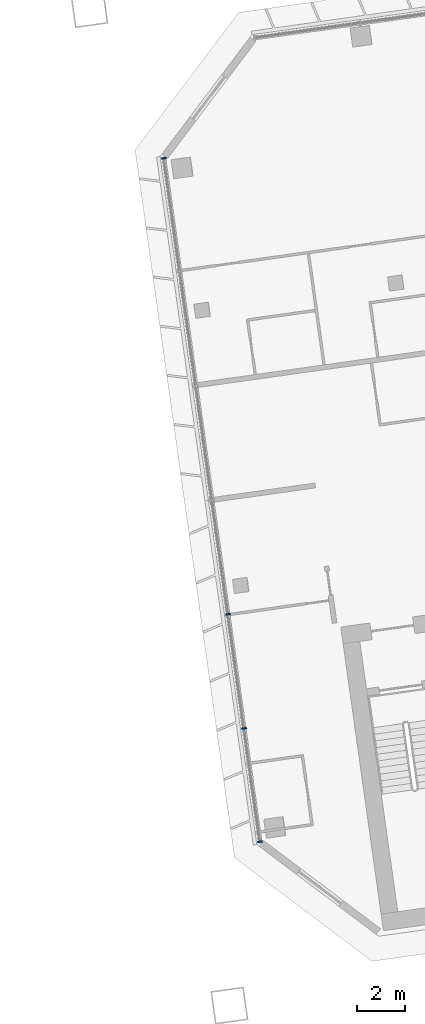
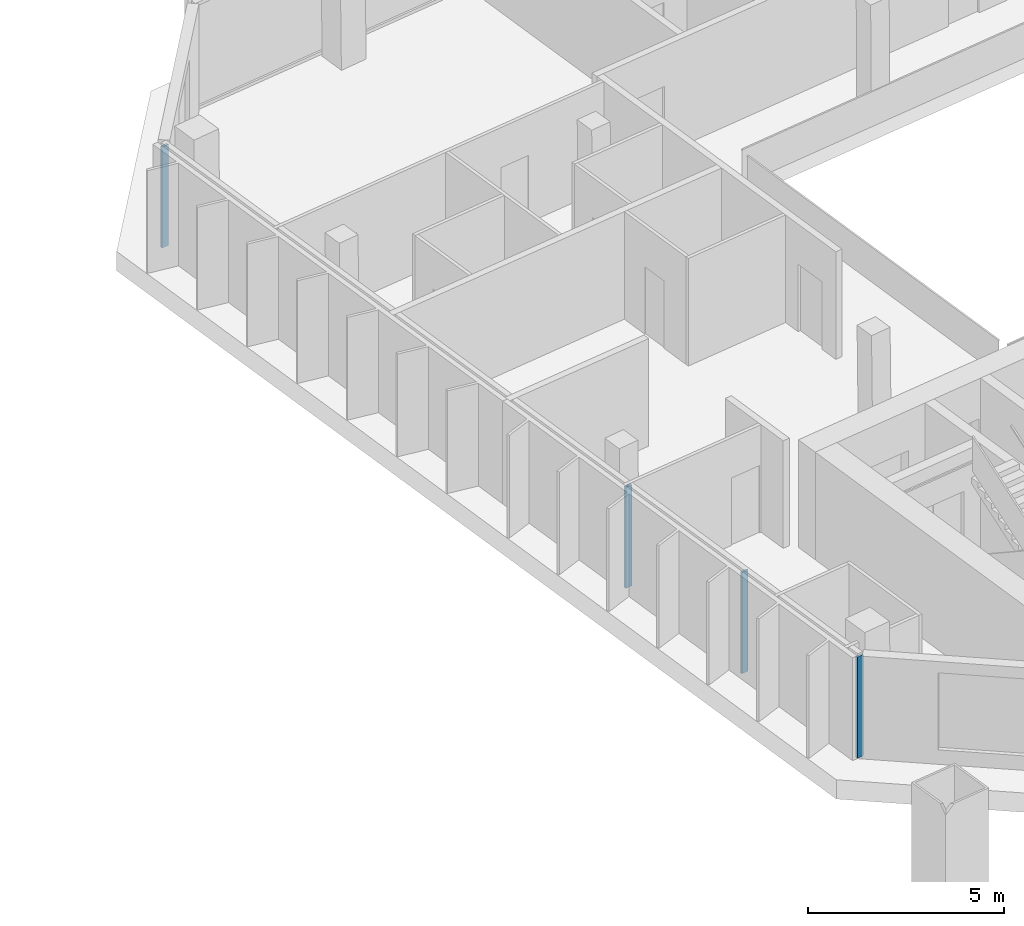
# One storey, part 10 of 31: 4 members, 1 element without a shape of its own.
"""IFC4 building model written with IfcOpenShell, lengths in metres."""

import ifcopenshell
import ifcopenshell.guid

model = None  # the IFC model being written
_history = None  # IfcOwnerHistory: only IFC2X3 demands one
_inside = {}  # id of a spatial element -> (the spatial element, [elements in it])
_under = {}  # id of a project, library or spatial element -> (it, [spatial elements below it])
_declared = {}  # id of a project -> (the project, [libraries it declares])
_typed = {}  # id of a type object -> (the type object, [elements of that type])
_made_of = {}  # id of a material, layer set ... -> (it, [elements and type objects made of it])


def new_model(schema):
    """Start an empty IFC model of exactly this schema.

    Asked for "IFC4X3", IfcOpenShell would pick the latest addendum, in which some entities
    have other attributes; the version numbers below select the first issue.
    IFC2X3 requires an IfcOwnerHistory on every rooted entity: one is made here for all.
    """
    global model, _history
    if schema == "IFC4X3":
        model = ifcopenshell.file(schema_version=(4, 3, 0, 0))
    else:
        model = ifcopenshell.file(schema=schema)
    _inside.clear()
    _under.clear()
    _declared.clear()
    _typed.clear()
    _made_of.clear()
    _history = None
    if model.schema == "IFC2X3":
        org = make("IfcOrganization", Name="unknown")
        user = make(
            "IfcPersonAndOrganization",
            ThePerson=make("IfcPerson", FamilyName="unknown"),
            TheOrganization=org,
        )
        app = make(
            "IfcApplication",
            ApplicationDeveloper=org,
            Version="unknown",
            ApplicationFullName="unknown",
            ApplicationIdentifier="unknown",
        )
        _history = make(
            "IfcOwnerHistory",
            OwningUser=user,
            OwningApplication=app,
            ChangeAction="ADDED",
            CreationDate=0,
        )
    return model


def make(cls, **values):
    """One entity of the class cls with the attributes given. An attribute that is None is left unset."""
    return model.create_entity(
        cls, **{name: value for name, value in values.items() if value is not None}
    )


def rooted(cls, **values):
    """An entity with a GlobalId (a new one), such as an element, a storey or a relation."""
    return make(cls, GlobalId=ifcopenshell.guid.new(), OwnerHistory=_history, **values)


def si_unit(unit_type, name, prefix=None):
    """IfcSIUnit, for example si_unit("LENGTHUNIT", "METRE", prefix="MILLI")."""
    return make("IfcSIUnit", UnitType=unit_type, Prefix=prefix, Name=name)


def assignment(units):
    """IfcUnitAssignment: the units of a project."""
    return None if units is None else make("IfcUnitAssignment", Units=units)


def point(xyz):
    """IfcCartesianPoint."""
    return None if xyz is None else make("IfcCartesianPoint", Coordinates=xyz)


def direction(xyz):
    """IfcDirection."""
    return None if xyz is None else make("IfcDirection", DirectionRatios=xyz)


def frame(location, z_axis=None, x_axis=None):
    """IfcAxis2Placement3D, a coordinate frame: its origin and axes. An axis left out is left unset."""
    return make(
        "IfcAxis2Placement3D",
        Location=point(location),
        Axis=direction(z_axis),
        RefDirection=direction(x_axis),
    )


def frame_2d(location, x_axis=None):
    """IfcAxis2Placement2D, a coordinate frame in the plane: its origin and x axis."""
    return make(
        "IfcAxis2Placement2D", Location=point(location), RefDirection=direction(x_axis)
    )


def origin():
    """The frame at (0, 0, 0) with its axes left unset."""
    return frame((0.0, 0.0, 0.0))


def origin_2d():
    """The frame at (0, 0) in the plane with its x axis left unset."""
    return frame_2d((0.0, 0.0))


def place(relative_to, where):
    """IfcLocalPlacement: puts the frame where relative to a parent placement (None: the world)."""
    return make(
        "IfcLocalPlacement", PlacementRelTo=relative_to, RelativePlacement=where
    )


def context(
    kind, dimensions, precision=None, world=None, true_north=None, identifier=None
):
    """IfcGeometricRepresentationContext, for example the 3D "Model" context."""
    return make(
        "IfcGeometricRepresentationContext",
        ContextIdentifier=identifier,
        ContextType=kind,
        CoordinateSpaceDimension=dimensions,
        Precision=precision,
        WorldCoordinateSystem=world,
        TrueNorth=true_north,
    )


def subcontext(parent, identifier, kind, view, scale=None):
    """IfcGeometricRepresentationSubContext, for example "Body" below "Model"."""
    return make(
        "IfcGeometricRepresentationSubContext",
        ContextIdentifier=identifier,
        ContextType=kind,
        ParentContext=parent,
        TargetScale=scale,
        TargetView=view,
    )


def project(units=None, contexts=None):
    """IfcProject with its units and contexts."""
    return rooted(
        "IfcProject",
        Name="project",
        RepresentationContexts=contexts,
        UnitsInContext=assignment(units),
    )


def spatial(cls, under=None, at=None, **own):
    """A site, building, storey or space (cls), placed at a placement, below another one or the project."""
    s = rooted(cls, ObjectPlacement=at, **own)
    if under is not None:
        _under.setdefault(under.id(), (under, []))[1].append(s)
    return s


def profile(cls, at=None, kind="AREA", **sizes):
    """A parametric profile (cls). Its sizes go by their IFC names, for example OverallWidth=200.0."""
    return make(cls, ProfileType=kind, Position=at, **sizes)


def rectangle(**sizes):
    """IfcRectangleProfileDef."""
    return profile("IfcRectangleProfileDef", **sizes)


def extrude(swept, where, along, depth):
    """IfcExtrudedAreaSolid: the profile swept, set in the frame where, extruded along a direction by depth."""
    return make(
        "IfcExtrudedAreaSolid",
        SweptArea=swept,
        Position=where,
        ExtrudedDirection=direction(along),
        Depth=depth,
    )


def shape(context_of_items, identifier, shape_type, items):
    """IfcShapeRepresentation: the items that make up one representation, for example the "Body"."""
    return make(
        "IfcShapeRepresentation",
        ContextOfItems=context_of_items,
        RepresentationIdentifier=identifier,
        RepresentationType=shape_type,
        Items=items,
    )


def material(Name=None, Category=None):
    """IfcMaterial."""
    return make("IfcMaterial", Name=Name, Category=Category)


def material_profile(
    of_material, cross_section, Name=None, Category=None, Priority=None
):
    """IfcMaterialProfile: a cross section and its material."""
    return make(
        "IfcMaterialProfile",
        Name=Name,
        Material=of_material,
        Profile=cross_section,
        Priority=Priority,
        Category=Category,
    )


def profile_set(profiles, Name=None, composite=None):
    """IfcMaterialProfileSet."""
    return make(
        "IfcMaterialProfileSet",
        Name=Name,
        MaterialProfiles=profiles,
        CompositeProfile=composite,
    )


def made_of(thing, what):
    """Note that an element or type object is made of a material, layer set ...; save() writes the relation."""
    if what is not None:
        _made_of.setdefault(what.id(), (what, []))[1].append(thing)
    return thing


def type_object(cls, material=None, **own):
    """A type object (cls), such as IfcWallType, which elements share."""
    return made_of(rooted(cls, **own), material)


def element(
    cls,
    number,
    at=None,
    inside=None,
    cuts=None,
    type_object=None,
    material=None,
    context=None,
    identifier="Body",
    shape_type=None,
    held_by="IfcProductDefinitionShape",
    body=None,
    shapes=None,
    **own,
):
    """One element of the class cls, such as IfcWall. Its Tag is "e" and its number.

    at: its placement. inside: the storey or other place that contains it. cuts: it is an
    opening in that element (IfcRelVoidsElement). A single representation is given by context,
    identifier, shape_type and body (its items); several are given by shapes. held_by: the class
    of the entity that holds the representations. save() writes the other relations.
    """
    e = rooted(cls, Tag="e%d" % number, ObjectPlacement=at, **own)
    if body is not None:
        shapes = [shape(context, identifier, shape_type, body)]
    if shapes is not None:
        e.Representation = make(held_by, Representations=shapes)
    if inside is not None:
        _inside.setdefault(inside.id(), (inside, []))[1].append(e)
    if cuts is not None:
        rooted(
            "IfcRelVoidsElement", RelatingBuildingElement=cuts, RelatedOpeningElement=e
        )
    if type_object is not None:
        _typed.setdefault(type_object.id(), (type_object, []))[1].append(e)
    return made_of(e, material)


def aggregate(whole, parts):
    """IfcRelAggregates: a whole, such as a stair, and the parts it consists of."""
    return rooted("IfcRelAggregates", RelatingObject=whole, RelatedObjects=parts)


def save(model, path):
    """Write the relations noted so far, then the file.

    IfcRelAggregates (storeys below a building ...), IfcRelContainedInSpatialStructure (elements
    in a storey), IfcRelDefinesByType, IfcRelAssociatesMaterial and IfcRelDeclares: one each for
    every whole, place, type object, material and project.
    """
    for whole, parts in _under.values():
        aggregate(whole, parts)
    for where, things in _inside.values():
        rooted(
            "IfcRelContainedInSpatialStructure",
            RelatedElements=things,
            RelatingStructure=where,
        )
    for kind, things in _typed.values():
        rooted("IfcRelDefinesByType", RelatedObjects=things, RelatingType=kind)
    for what, things in _made_of.values():
        rooted("IfcRelAssociatesMaterial", RelatedObjects=things, RelatingMaterial=what)
    for by, libraries in _declared.values():
        rooted("IfcRelDeclares", RelatingContext=by, RelatedDefinitions=libraries)
    model.write(path)


model = new_model("IFC4")

# Units and contexts
model_context = context("Model", 3, precision=1e-05, world=origin(), true_north=direction((0.0, 1.0)))
body_context = subcontext(model_context, "Body", "Model", "MODEL_VIEW")
ifc_project = project(units=[si_unit("LENGTHUNIT", "METRE"), si_unit("AREAUNIT", "SQUARE_METRE"), si_unit("VOLUMEUNIT", "CUBIC_METRE"), si_unit("PLANEANGLEUNIT", "RADIAN"), si_unit("MASSUNIT", "GRAM", prefix="KILO")], contexts=[model_context])

# Site, building, storey
site_placement = place(None, origin())
site = spatial("IfcSite", under=ifc_project, at=site_placement, CompositionType="ELEMENT")
building_placement = place(site_placement, origin())
building = spatial("IfcBuilding", under=site, at=building_placement, Name="Mirante Cascada Hotel Towers", CompositionType="ELEMENT")
storey_placement = place(building_placement, frame((0.0, 0.0, 157.4)))
storey = spatial("IfcBuildingStorey", under=building, at=storey_placement, Name="L36", CompositionType="ELEMENT", Elevation=157.4)

# Curtain wall, members
ifc_material_1 = material(Name="Aluminium mullion and transom frame with clear laminated glass", Category="aluminium")
curtain_wall_type = type_object("IfcCurtainWallType", Name="End ribbon curtain wall ECW2", PredefinedType="NOTDEFINED", material=ifc_material_1)
curtain_wall_placement = place(storey_placement, origin())
curtain_wall = element("IfcCurtainWall", 1, at=curtain_wall_placement, inside=storey, type_object=curtain_wall_type, Name="Inner end wall T2 L36", PredefinedType="NOTDEFINED")
ifc_material_2 = material(Name="Anodised aluminium extrusion", Category="aluminium")
ifc_material_profile = material_profile(ifc_material_2, rectangle(XDim=0.2, YDim=0.065, at=origin_2d()), Name="ECW2 MULLION 65x200")
ifc_profile_set = profile_set([ifc_material_profile], Name="Anodised aluminium extrusion")
member_type = type_object("IfcMemberType", Name="ECW2 mullion 65x200", PredefinedType="MULLION", material=ifc_profile_set)
member_1_placement = place(storey_placement, frame((28.1083, 12.2811, 0.1), z_axis=(0.0, 0.0, 1.0), x_axis=(0.9902681, 0.1391731, 0.0)))
member_1 = element("IfcMember", 2, at=member_1_placement, type_object=member_type, Name="ECW2 mullion 1", PredefinedType="MULLION", context=body_context, shape_type="SweptSolid", body=[
    extrude(rectangle(XDim=0.2, YDim=0.065, at=origin_2d()), origin(), (0.0, 0.0, 1.0), 3.15),
])
member_2_placement = place(storey_placement, frame((30.7829, -6.7499, 0.1), z_axis=(0.0, 0.0, 1.0), x_axis=(0.9902681, 0.1391731, 0.0)))
member_2 = element("IfcMember", 3, at=member_2_placement, type_object=member_type, Name="ECW2 mullion 5", PredefinedType="MULLION", context=body_context, shape_type="SweptSolid", body=[
    extrude(rectangle(XDim=0.2, YDim=0.065, at=origin_2d()), origin(), (0.0, 0.0, 1.0), 3.15),
])
member_3_placement = place(storey_placement, frame((31.4527, -11.5157, 0.1), z_axis=(0.0, 0.0, 1.0), x_axis=(0.9902681, 0.1391731, 0.0)))
member_3 = element("IfcMember", 4, at=member_3_placement, type_object=member_type, Name="ECW2 mullion 6", PredefinedType="MULLION", context=body_context, shape_type="SweptSolid", body=[
    extrude(rectangle(XDim=0.2, YDim=0.065, at=origin_2d()), origin(), (0.0, 0.0, 1.0), 3.15),
])
member_4_placement = place(storey_placement, frame((32.118, -16.2493, 0.1), z_axis=(0.0, 0.0, 1.0), x_axis=(0.9902681, 0.1391731, 0.0)))
member_4 = element("IfcMember", 5, at=member_4_placement, type_object=member_type, Name="ECW2 mullion 7", PredefinedType="MULLION", context=body_context, shape_type="SweptSolid", body=[
    extrude(rectangle(XDim=0.2, YDim=0.065, at=origin_2d()), origin(), (0.0, 0.0, 1.0), 3.15),
])
aggregate(curtain_wall, [member_1, member_2, member_3, member_4])

save(model, "model.ifc")
